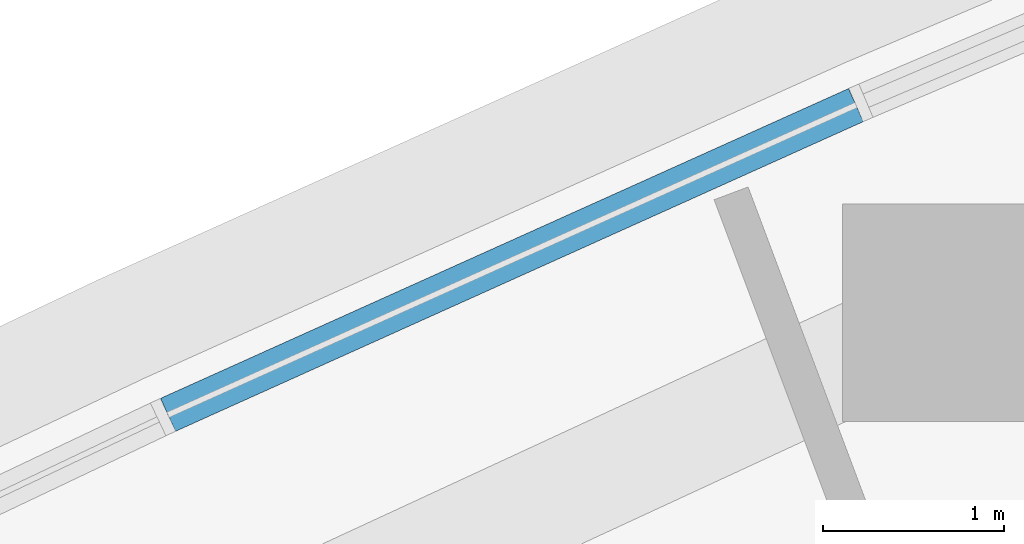
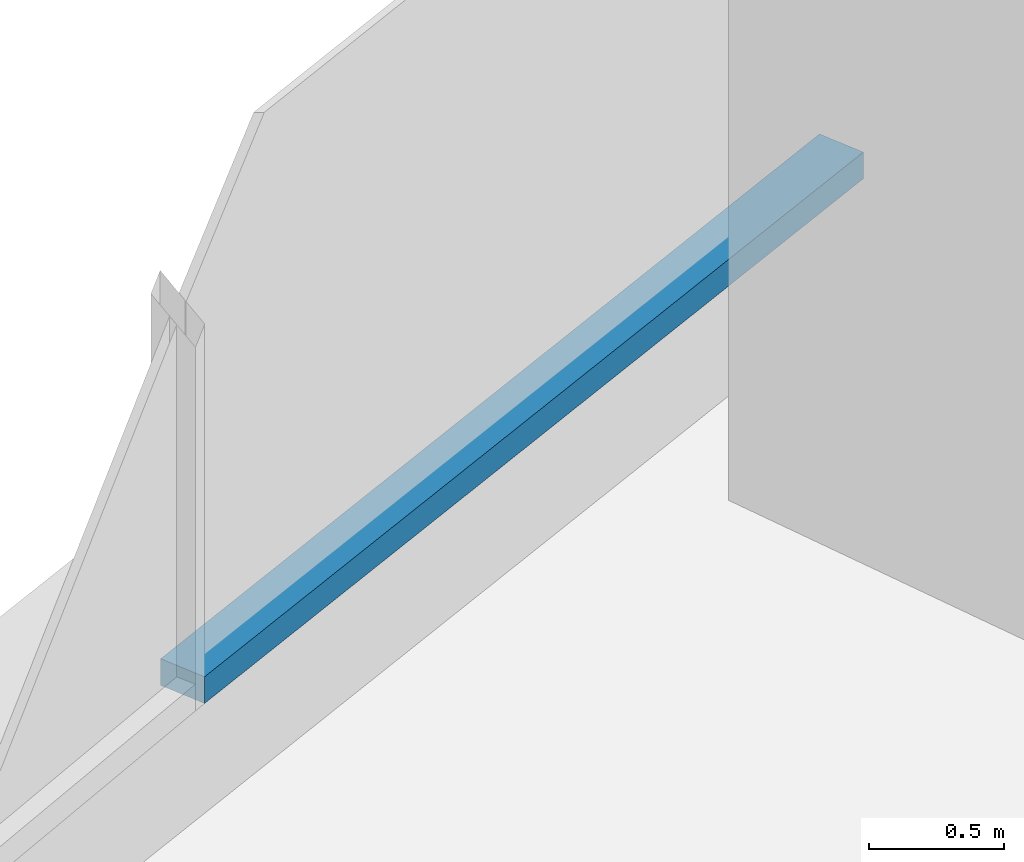
# One storey, part 3 of 16: 1 member, 1 element without a shape of its own.
"""IFC4 building model written with IfcOpenShell, lengths in metres."""

import ifcopenshell
import ifcopenshell.guid

model = None  # the IFC model being written
_history = None  # IfcOwnerHistory: only IFC2X3 demands one
_inside = {}  # id of a spatial element -> (the spatial element, [elements in it])
_under = {}  # id of a project, library or spatial element -> (it, [spatial elements below it])
_declared = {}  # id of a project -> (the project, [libraries it declares])
_typed = {}  # id of a type object -> (the type object, [elements of that type])
_made_of = {}  # id of a material, layer set ... -> (it, [elements and type objects made of it])


def new_model(schema):
    """Start an empty IFC model of exactly this schema.

    Asked for "IFC4X3", IfcOpenShell would pick the latest addendum, in which some entities
    have other attributes; the version numbers below select the first issue.
    IFC2X3 requires an IfcOwnerHistory on every rooted entity: one is made here for all.
    """
    global model, _history
    if schema == "IFC4X3":
        model = ifcopenshell.file(schema_version=(4, 3, 0, 0))
    else:
        model = ifcopenshell.file(schema=schema)
    _inside.clear()
    _under.clear()
    _declared.clear()
    _typed.clear()
    _made_of.clear()
    _history = None
    if model.schema == "IFC2X3":
        org = make("IfcOrganization", Name="unknown")
        user = make(
            "IfcPersonAndOrganization",
            ThePerson=make("IfcPerson", FamilyName="unknown"),
            TheOrganization=org,
        )
        app = make(
            "IfcApplication",
            ApplicationDeveloper=org,
            Version="unknown",
            ApplicationFullName="unknown",
            ApplicationIdentifier="unknown",
        )
        _history = make(
            "IfcOwnerHistory",
            OwningUser=user,
            OwningApplication=app,
            ChangeAction="ADDED",
            CreationDate=0,
        )
    return model


def make(cls, **values):
    """One entity of the class cls with the attributes given. An attribute that is None is left unset."""
    return model.create_entity(
        cls, **{name: value for name, value in values.items() if value is not None}
    )


def rooted(cls, **values):
    """An entity with a GlobalId (a new one), such as an element, a storey or a relation."""
    return make(cls, GlobalId=ifcopenshell.guid.new(), OwnerHistory=_history, **values)


def si_unit(unit_type, name, prefix=None):
    """IfcSIUnit, for example si_unit("LENGTHUNIT", "METRE", prefix="MILLI")."""
    return make("IfcSIUnit", UnitType=unit_type, Prefix=prefix, Name=name)


def assignment(units):
    """IfcUnitAssignment: the units of a project."""
    return None if units is None else make("IfcUnitAssignment", Units=units)


def point(xyz):
    """IfcCartesianPoint."""
    return None if xyz is None else make("IfcCartesianPoint", Coordinates=xyz)


def direction(xyz):
    """IfcDirection."""
    return None if xyz is None else make("IfcDirection", DirectionRatios=xyz)


def frame(location, z_axis=None, x_axis=None):
    """IfcAxis2Placement3D, a coordinate frame: its origin and axes. An axis left out is left unset."""
    return make(
        "IfcAxis2Placement3D",
        Location=point(location),
        Axis=direction(z_axis),
        RefDirection=direction(x_axis),
    )


def frame_2d(location, x_axis=None):
    """IfcAxis2Placement2D, a coordinate frame in the plane: its origin and x axis."""
    return make(
        "IfcAxis2Placement2D", Location=point(location), RefDirection=direction(x_axis)
    )


def origin():
    """The frame at (0, 0, 0) with its axes left unset."""
    return frame((0.0, 0.0, 0.0))


def origin_2d():
    """The frame at (0, 0) in the plane with its x axis left unset."""
    return frame_2d((0.0, 0.0))


def place(relative_to, where):
    """IfcLocalPlacement: puts the frame where relative to a parent placement (None: the world)."""
    return make(
        "IfcLocalPlacement", PlacementRelTo=relative_to, RelativePlacement=where
    )


def context(
    kind, dimensions, precision=None, world=None, true_north=None, identifier=None
):
    """IfcGeometricRepresentationContext, for example the 3D "Model" context."""
    return make(
        "IfcGeometricRepresentationContext",
        ContextIdentifier=identifier,
        ContextType=kind,
        CoordinateSpaceDimension=dimensions,
        Precision=precision,
        WorldCoordinateSystem=world,
        TrueNorth=true_north,
    )


def subcontext(parent, identifier, kind, view, scale=None):
    """IfcGeometricRepresentationSubContext, for example "Body" below "Model"."""
    return make(
        "IfcGeometricRepresentationSubContext",
        ContextIdentifier=identifier,
        ContextType=kind,
        ParentContext=parent,
        TargetScale=scale,
        TargetView=view,
    )


def project(units=None, contexts=None):
    """IfcProject with its units and contexts."""
    return rooted(
        "IfcProject",
        Name="project",
        RepresentationContexts=contexts,
        UnitsInContext=assignment(units),
    )


def spatial(cls, under=None, at=None, **own):
    """A site, building, storey or space (cls), placed at a placement, below another one or the project."""
    s = rooted(cls, ObjectPlacement=at, **own)
    if under is not None:
        _under.setdefault(under.id(), (under, []))[1].append(s)
    return s


def profile(cls, at=None, kind="AREA", **sizes):
    """A parametric profile (cls). Its sizes go by their IFC names, for example OverallWidth=200.0."""
    return make(cls, ProfileType=kind, Position=at, **sizes)


def rectangle(**sizes):
    """IfcRectangleProfileDef."""
    return profile("IfcRectangleProfileDef", **sizes)


def extrude(swept, where, along, depth):
    """IfcExtrudedAreaSolid: the profile swept, set in the frame where, extruded along a direction by depth."""
    return make(
        "IfcExtrudedAreaSolid",
        SweptArea=swept,
        Position=where,
        ExtrudedDirection=direction(along),
        Depth=depth,
    )


def shape(context_of_items, identifier, shape_type, items):
    """IfcShapeRepresentation: the items that make up one representation, for example the "Body"."""
    return make(
        "IfcShapeRepresentation",
        ContextOfItems=context_of_items,
        RepresentationIdentifier=identifier,
        RepresentationType=shape_type,
        Items=items,
    )


def material(Name=None, Category=None):
    """IfcMaterial."""
    return make("IfcMaterial", Name=Name, Category=Category)


def layer(
    of_material, thickness, ventilated=None, Name=None, Category=None, Priority=None
):
    """IfcMaterialLayer: one layer of a wall or slab, of a material (None: an air gap)."""
    return make(
        "IfcMaterialLayer",
        Material=of_material,
        LayerThickness=thickness,
        IsVentilated=ventilated,
        Name=Name,
        Category=Category,
        Priority=Priority,
    )


def layer_set(layers, Name=None):
    """IfcMaterialLayerSet."""
    return make("IfcMaterialLayerSet", MaterialLayers=layers, LayerSetName=Name)


def material_profile(
    of_material, cross_section, Name=None, Category=None, Priority=None
):
    """IfcMaterialProfile: a cross section and its material."""
    return make(
        "IfcMaterialProfile",
        Name=Name,
        Material=of_material,
        Profile=cross_section,
        Priority=Priority,
        Category=Category,
    )


def profile_set(profiles, Name=None, composite=None):
    """IfcMaterialProfileSet."""
    return make(
        "IfcMaterialProfileSet",
        Name=Name,
        MaterialProfiles=profiles,
        CompositeProfile=composite,
    )


def made_of(thing, what):
    """Note that an element or type object is made of a material, layer set ...; save() writes the relation."""
    if what is not None:
        _made_of.setdefault(what.id(), (what, []))[1].append(thing)
    return thing


def type_object(cls, material=None, **own):
    """A type object (cls), such as IfcWallType, which elements share."""
    return made_of(rooted(cls, **own), material)


def element(
    cls,
    number,
    at=None,
    inside=None,
    cuts=None,
    type_object=None,
    material=None,
    context=None,
    identifier="Body",
    shape_type=None,
    held_by="IfcProductDefinitionShape",
    body=None,
    shapes=None,
    **own,
):
    """One element of the class cls, such as IfcWall. Its Tag is "e" and its number.

    at: its placement. inside: the storey or other place that contains it. cuts: it is an
    opening in that element (IfcRelVoidsElement). A single representation is given by context,
    identifier, shape_type and body (its items); several are given by shapes. held_by: the class
    of the entity that holds the representations. save() writes the other relations.
    """
    e = rooted(cls, Tag="e%d" % number, ObjectPlacement=at, **own)
    if body is not None:
        shapes = [shape(context, identifier, shape_type, body)]
    if shapes is not None:
        e.Representation = make(held_by, Representations=shapes)
    if inside is not None:
        _inside.setdefault(inside.id(), (inside, []))[1].append(e)
    if cuts is not None:
        rooted(
            "IfcRelVoidsElement", RelatingBuildingElement=cuts, RelatedOpeningElement=e
        )
    if type_object is not None:
        _typed.setdefault(type_object.id(), (type_object, []))[1].append(e)
    return made_of(e, material)


def aggregate(whole, parts):
    """IfcRelAggregates: a whole, such as a stair, and the parts it consists of."""
    return rooted("IfcRelAggregates", RelatingObject=whole, RelatedObjects=parts)


def save(model, path):
    """Write the relations noted so far, then the file.

    IfcRelAggregates (storeys below a building ...), IfcRelContainedInSpatialStructure (elements
    in a storey), IfcRelDefinesByType, IfcRelAssociatesMaterial and IfcRelDeclares: one each for
    every whole, place, type object, material and project.
    """
    for whole, parts in _under.values():
        aggregate(whole, parts)
    for where, things in _inside.values():
        rooted(
            "IfcRelContainedInSpatialStructure",
            RelatedElements=things,
            RelatingStructure=where,
        )
    for kind, things in _typed.values():
        rooted("IfcRelDefinesByType", RelatedObjects=things, RelatingType=kind)
    for what, things in _made_of.values():
        rooted("IfcRelAssociatesMaterial", RelatedObjects=things, RelatingMaterial=what)
    for by, libraries in _declared.values():
        rooted("IfcRelDeclares", RelatingContext=by, RelatedDefinitions=libraries)
    model.write(path)


model = new_model("IFC4")

# Units and contexts
model_context = context("Model", 3, precision=1e-05, world=origin(), true_north=direction((0.0, 1.0)))
body_context = subcontext(model_context, "Body", "Model", "MODEL_VIEW")
ifc_project = project(units=[si_unit("LENGTHUNIT", "METRE"), si_unit("AREAUNIT", "SQUARE_METRE"), si_unit("VOLUMEUNIT", "CUBIC_METRE"), si_unit("PLANEANGLEUNIT", "RADIAN"), si_unit("MASSUNIT", "GRAM", prefix="KILO")], contexts=[model_context])

# Site, building, storey
site_placement = place(None, origin())
site = spatial("IfcSite", under=ifc_project, at=site_placement, CompositionType="ELEMENT")
building_placement = place(site_placement, origin())
building = spatial("IfcBuilding", under=site, at=building_placement, Name="Ostrand Prow Hotel Tower", CompositionType="ELEMENT")
storey_placement = place(building_placement, frame((0.0, 0.0, 227.89990234375)))
storey = spatial("IfcBuildingStorey", under=building, at=storey_placement, Name="L57", CompositionType="ELEMENT", Elevation=227.89990234375)

# Curtain wall, member
ifc_material_1 = material(Name="Insulated glass in bronze anodised frame", Category="glass")
ifc_layer = layer(ifc_material_1, 0.199951171875)
ifc_layer_set = layer_set([ifc_layer], Name="Insulated glass in bronze anodised frame")
curtain_wall_type = type_object("IfcCurtainWallType", Name="Strip curtain wall, fritted glass over bronze spandrel", PredefinedType="NOTDEFINED", material=ifc_layer_set)
curtain_wall_placement = place(storey_placement, origin())
curtain_wall = element("IfcCurtainWall", 1, at=curtain_wall_placement, inside=storey, type_object=curtain_wall_type, Name="CW1 run CWN5", PredefinedType="NOTDEFINED")
ifc_material_2 = material(Name="Bronze anodised aluminium", Category="aluminium")
ifc_material_profile = material_profile(ifc_material_2, rectangle(XDim=0.199951171875, YDim=0.1201171875, at=origin_2d()), Name="Transom 120x200 bronze anodised aluminium")
ifc_profile_set = profile_set([ifc_material_profile], Name="Bronze anodised aluminium")
member_type = type_object("IfcMemberType", Name="Transom 120x200 bronze anodised aluminium", PredefinedType="USERDEFINED", material=ifc_profile_set)
member_placement = place(storey_placement, frame((20.53271484375, 10.10400390625, 0.960205078125), z_axis=(-0.911832617051, -0.410562149353, 0.0), x_axis=(0.410562149353, -0.911832617051, 0.0)))
member = element("IfcMember", 2, at=member_placement, type_object=member_type, Name="CW1 transom 1.1", ObjectType="TRANSOM", PredefinedType="USERDEFINED", context=body_context, shape_type="SweptSolid", body=[
    extrude(rectangle(XDim=0.199951171875, YDim=0.1201171875, at=origin_2d()), origin(), (0.0, 0.0, 1.0), 4.163818359375),
])
aggregate(curtain_wall, [member])

save(model, "model.ifc")
